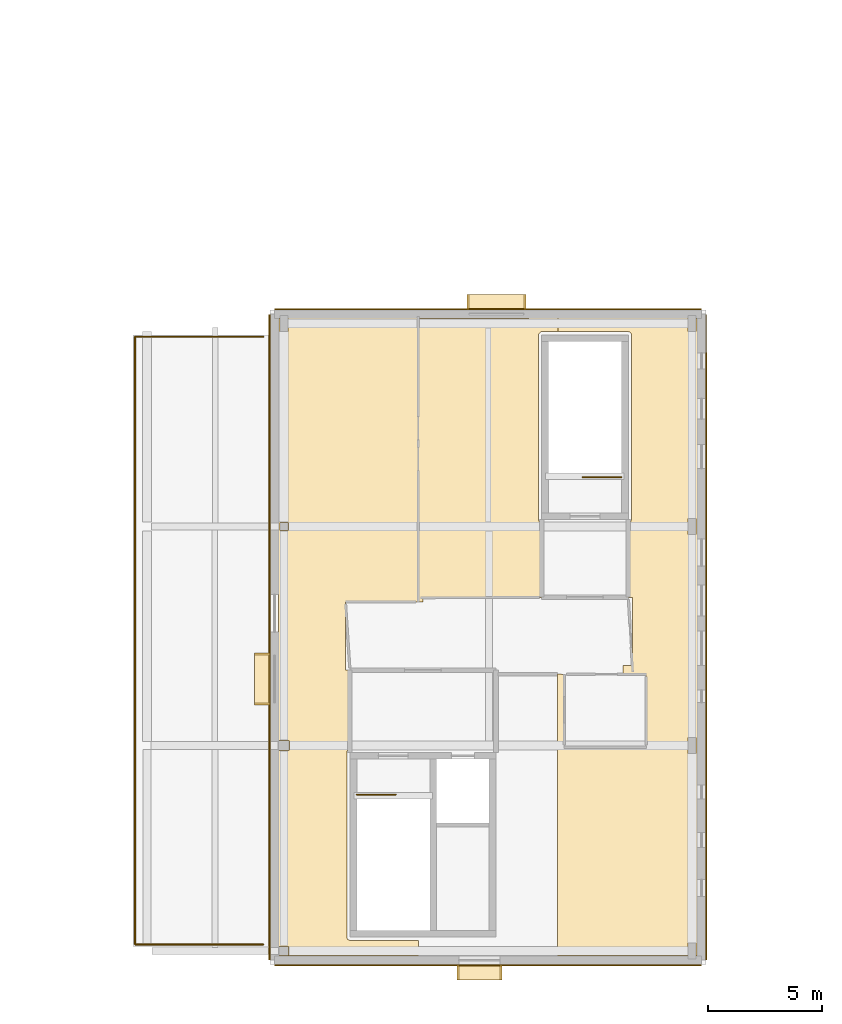
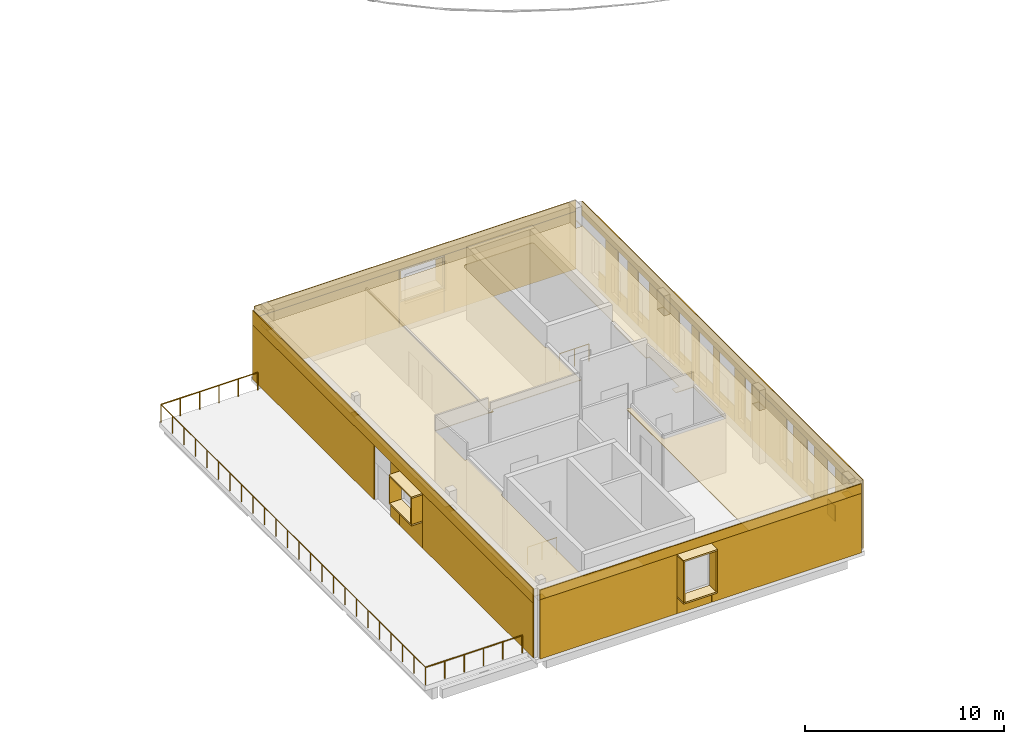
# One storey, part 30 of 41: 49 coverings, 5 railings.
"""IFC4 building model written with IfcOpenShell, lengths in metres."""

from ifc_helpers import new_model, si_unit, direction, frame, origin, origin_2d, place, context, subcontext, project, spatial, polyline, rectangle, circle, outline, extrude, material, layer, layer_set, type_object, element, save


model = new_model("IFC4")

# Units and contexts
model_context = context("Model", 3, precision=1e-05, world=origin(), true_north=direction((0.0, 1.0)))
body_context = subcontext(model_context, "Body", "Model", "MODEL_VIEW")
ifc_project = project(units=[si_unit("LENGTHUNIT", "METRE"), si_unit("AREAUNIT", "SQUARE_METRE"), si_unit("VOLUMEUNIT", "CUBIC_METRE"), si_unit("PLANEANGLEUNIT", "RADIAN"), si_unit("MASSUNIT", "GRAM", prefix="KILO")], contexts=[model_context])

# Site, building, storey
site_placement = place(None, origin())
site = spatial("IfcSite", under=ifc_project, at=site_placement, CompositionType="ELEMENT")
building_placement = place(site_placement, origin())
building = spatial("IfcBuilding", under=site, at=building_placement, Name="Mzevani Central Library", CompositionType="ELEMENT")
storey_placement = place(building_placement, frame((0.0, 0.0, 13.800048828125)))
storey = spatial("IfcBuildingStorey", under=building, at=storey_placement, Name="L03", CompositionType="ELEMENT", Elevation=13.800048828125)

# Railings
ifc_material_1 = material(Name="Brushed stainless steel rail", Category="steel")
railing_type_1 = type_object("IfcRailingType", Name="Interior Gallery and Stair Guard 1100", PredefinedType="BALUSTRADE", material=ifc_material_1)
railing_1_placement = place(storey_placement, frame((39.0, 21.050048828125, 0.0)))
element("IfcRailing", 1, at=railing_1_placement, inside=storey, type_object=railing_type_1, Name="L03 ST-07 top well guard 1", PredefinedType="BALUSTRADE", context=body_context, shape_type="SweptSolid", body=[
    extrude(circle(Radius=0.02392578125, at=origin_2d()), frame((0.0, 0.0, 1.076171875), z_axis=(1.0, 0.0, 0.0), x_axis=(0.0, 1.0, 0.0)), (0.0, 0.0, 1.0), 1.699951171875),
    extrude(circle(Radius=0.02099609375, at=origin_2d()), origin(), (0.0, 0.0, 1.0), 1.052001953125),
    extrude(circle(Radius=0.02099609375, at=origin_2d()), frame((0.85009765625, 0.0, 0.0)), (0.0, 0.0, 1.0), 1.052001953125),
    extrude(circle(Radius=0.02099609375, at=origin_2d()), frame((1.699951171875, 0.0, 0.0)), (0.0, 0.0, 1.0), 1.052001953125),
])
railing_2_placement = place(storey_placement, frame((50.60009765625, 34.949951171875, 0.0)))
element("IfcRailing", 2, at=railing_2_placement, inside=storey, type_object=railing_type_1, Name="L03 ST-08 top well guard 1", PredefinedType="BALUSTRADE", context=body_context, shape_type="SweptSolid", body=[
    extrude(circle(Radius=0.02392578125, at=origin_2d()), frame((0.0, 0.0, 1.076171875), z_axis=(-1.0, 0.0, 0.0), x_axis=(0.0, -1.0, 0.0)), (0.0, 0.0, 1.0), 1.7001953125),
    extrude(circle(Radius=0.02099609375, at=origin_2d()), origin(), (0.0, 0.0, 1.0), 1.052001953125),
    extrude(circle(Radius=0.02099609375, at=origin_2d()), frame((-0.85009765625, 0.0, 0.0)), (0.0, 0.0, 1.0), 1.052001953125),
    extrude(circle(Radius=0.02099609375, at=origin_2d()), frame((-1.7001953125, 0.0, 0.0)), (0.0, 0.0, 1.0), 1.052001953125),
])

# Coverings
ifc_material_2 = material(Name="Limestone ashlar cladding", Category="masonry")
ifc_layer_1 = layer(ifc_material_2, 0.050048828125, Name="Limestone Ashlar Spandrel Cladding")
ifc_layer_set_1 = layer_set([ifc_layer_1], Name="Limestone ashlar cladding")
covering_type_1 = type_object("IfcCoveringType", Name="Limestone Ashlar Spandrel Cladding", PredefinedType="CLADDING", material=ifc_layer_set_1)
for number, where, z_axis, x_axis, name in (
    (3, (44.37548828125, 13.261962890625, 3.5498046875), (0.0, 0.0, 1.0), (-1.0, 0.0, 0.0), "L03 Deep Window Reveal HD (REV4-0175)"),
    (4, (44.37548828125, 13.261962890625, 0.9599609375), (0.0, 0.0, 1.0), (-1.0, 0.0, 0.0), "L03 Deep Window Reveal SL (REV4-0175)"),
):
    element("IfcCovering", number, at=place(storey_placement, frame(where, z_axis=z_axis, x_axis=x_axis)), inside=storey, type_object=covering_type_1, Name=name, PredefinedType="CLADDING", context=body_context, shape_type="SweptSolid", body=[
        extrude(rectangle(XDim=1.97998046875, YDim=0.679931640625, at=origin_2d()), origin(), (0.0, 0.0, 1.0), 0.090087890625),
    ])
for number, where, z_axis, x_axis, name in (
    (5, (45.320556640625, 13.261962890625, 1.050048828125), (0.0, 0.0, 1.0), (-1.0, 0.0, 0.0), "L03 Deep Window Reveal JL (REV4-0175)"),
    (6, (43.4306640625, 13.261962890625, 1.050048828125), (0.0, 0.0, 1.0), (-1.0, 0.0, 0.0), "L03 Deep Window Reveal JR (REV4-0175)"),
):
    element("IfcCovering", number, at=place(storey_placement, frame(where, z_axis=z_axis, x_axis=x_axis)), inside=storey, type_object=covering_type_1, Name=name, PredefinedType="CLADDING", context=body_context, shape_type="SweptSolid", body=[
        extrude(rectangle(XDim=0.090087890625, YDim=0.679931640625, at=origin_2d()), origin(), (0.0, 0.0, 1.0), 2.5),
    ])
covering_1_placement = place(storey_placement, frame((44.75, 13.575927734375, 3.64990234375), z_axis=(0.0, 0.0, 1.0), x_axis=(-1.0, 0.0, 0.0)))
element("IfcCovering", 7, at=covering_1_placement, inside=storey, type_object=covering_type_1, Name="L03 Warm-White Facade Spandrel (EW4-V4-L03-0084)", PredefinedType="CLADDING", context=body_context, shape_type="SweptSolid", body=[
    extrude(rectangle(XDim=18.679931640625, YDim=0.050048828125, at=origin_2d()), origin(), (0.0, 0.0, 1.0), 0.590087890625),
])
covering_2_placement = place(storey_placement, frame((49.742919921875, 13.575927734375, 0.0), z_axis=(0.0, 0.0, 1.0), x_axis=(-1.0, 0.0, 0.0)))
element("IfcCovering", 8, at=covering_2_placement, inside=storey, type_object=covering_type_1, Name="L03 Warm-White Facade Pier 1 (EW4-V4-L03-0084)", PredefinedType="CLADDING", context=body_context, shape_type="SweptSolid", body=[
    extrude(rectangle(XDim=8.6943359375, YDim=0.050048828125, at=origin_2d()), origin(), (0.0, 0.0, 1.0), 3.64990234375),
])
covering_3_placement = place(storey_placement, frame((44.37548828125, 13.575927734375, 0.0), z_axis=(0.0, 0.0, 1.0), x_axis=(-1.0, 0.0, 0.0)))
element("IfcCovering", 9, at=covering_3_placement, inside=storey, type_object=covering_type_1, Name="L03 Warm-White Sill Cladding 2 (EW4-V4-L03-0084)", PredefinedType="CLADDING", context=body_context, shape_type="SweptSolid", body=[
    extrude(rectangle(XDim=2.0, YDim=0.050048828125, at=origin_2d()), origin(), (0.0, 0.0, 1.0), 0.949951171875),
])
covering_4_placement = place(storey_placement, frame((39.3828125, 13.575927734375, 0.0), z_axis=(0.0, 0.0, 1.0), x_axis=(-1.0, 0.0, 0.0)))
element("IfcCovering", 10, at=covering_4_placement, inside=storey, type_object=covering_type_1, Name="L03 Warm-White Facade Pier 3 (EW4-V4-L03-0084)", PredefinedType="CLADDING", context=body_context, shape_type="SweptSolid", body=[
    extrude(rectangle(XDim=7.945556640625, YDim=0.050048828125, at=origin_2d()), origin(), (0.0, 0.0, 1.0), 3.64990234375),
])
for number, where, z_axis, x_axis, name in (
    (11, (34.862060546875, 26.116455078125, 3.25), (0.0, 0.0, 1.0), (0.0, 1.0, 0.0), "L03 Deep Window Reveal HD (REV4-0176)"),
    (12, (34.862060546875, 26.116455078125, 1.56005859375), (0.0, 0.0, 1.0), (0.0, 1.0, 0.0), "L03 Deep Window Reveal SL (REV4-0176)"),
):
    element("IfcCovering", number, at=place(storey_placement, frame(where, z_axis=z_axis, x_axis=x_axis)), inside=storey, type_object=covering_type_1, Name=name, PredefinedType="CLADDING", context=body_context, shape_type="SweptSolid", body=[
        extrude(rectangle(XDim=2.280029296875, YDim=0.679931640625, at=origin_2d()), origin(), (0.0, 0.0, 1.0), 0.090087890625),
    ])
for number, where, z_axis, x_axis, name in (
    (13, (34.862060546875, 25.021484375, 1.64990234375), (0.0, 0.0, 1.0), (0.0, 1.0, 0.0), "L03 Deep Window Reveal JL (REV4-0176)"),
    (14, (34.862060546875, 27.21142578125, 1.64990234375), (0.0, 0.0, 1.0), (0.0, 1.0, 0.0), "L03 Deep Window Reveal JR (REV4-0176)"),
):
    element("IfcCovering", number, at=place(storey_placement, frame(where, z_axis=z_axis, x_axis=x_axis)), inside=storey, type_object=covering_type_1, Name=name, PredefinedType="CLADDING", context=body_context, shape_type="SweptSolid", body=[
        extrude(rectangle(XDim=0.090087890625, YDim=0.679931640625, at=origin_2d()), origin(), (0.0, 0.0, 1.0), 1.60009765625),
    ])
covering_5_placement = place(storey_placement, frame((35.176025390625, 27.949951171875, 3.35009765625), z_axis=(0.0, 0.0, 1.0), x_axis=(0.0, 1.0, 0.0)))
element("IfcCovering", 15, at=covering_5_placement, inside=storey, type_object=covering_type_1, Name="L03 Warm-White Facade Spandrel (EW4-V4-L03-0085)", PredefinedType="CLADDING", context=body_context, shape_type="SweptSolid", body=[
    extrude(rectangle(XDim=28.280029296875, YDim=0.050048828125, at=origin_2d()), origin(), (0.0, 0.0, 1.0), 0.889892578125),
])
covering_6_placement = place(storey_placement, frame((35.176025390625, 19.378173828125, 0.0), z_axis=(0.0, 0.0, 1.0), x_axis=(0.0, 1.0, 0.0)))
element("IfcCovering", 16, at=covering_6_placement, inside=storey, type_object=covering_type_1, Name="L03 Warm-White Facade Pier 1 (EW4-V4-L03-0085)", PredefinedType="CLADDING", context=body_context, shape_type="SweptSolid", body=[
    extrude(rectangle(XDim=11.136474609375, YDim=0.050048828125, at=origin_2d()), origin(), (0.0, 0.0, 1.0), 3.35009765625),
])
covering_7_placement = place(storey_placement, frame((35.176025390625, 26.116455078125, 0.0), z_axis=(0.0, 0.0, 1.0), x_axis=(0.0, 1.0, 0.0)))
element("IfcCovering", 17, at=covering_7_placement, inside=storey, type_object=covering_type_1, Name="L03 Warm-White Sill Cladding 2 (EW4-V4-L03-0085)", PredefinedType="CLADDING", context=body_context, shape_type="SweptSolid", body=[
    extrude(rectangle(XDim=2.300048828125, YDim=0.050048828125, at=origin_2d()), origin(), (0.0, 0.0, 1.0), 1.550048828125),
])
covering_8_placement = place(storey_placement, frame((35.176025390625, 27.720703125, 0.0), z_axis=(0.0, 0.0, 1.0), x_axis=(0.0, 1.0, 0.0)))
element("IfcCovering", 18, at=covering_8_placement, inside=storey, type_object=covering_type_1, Name="L03 Warm-White Facade Pier 3 (EW4-V4-L03-0085)", PredefinedType="CLADDING", context=body_context, shape_type="SweptSolid", body=[
    extrude(rectangle(XDim=0.86865234375, YDim=0.050048828125, at=origin_2d()), origin(), (0.0, 0.0, 1.0), 3.35009765625),
])
covering_9_placement = place(storey_placement, frame((35.176025390625, 35.967529296875, 0.0), z_axis=(0.0, 0.0, 1.0), x_axis=(0.0, 1.0, 0.0)))
element("IfcCovering", 19, at=covering_9_placement, inside=storey, type_object=covering_type_1, Name="L03 Warm-White Facade Pier 4 (EW4-V4-L03-0085)", PredefinedType="CLADDING", context=body_context, shape_type="SweptSolid", body=[
    extrude(rectangle(XDim=12.2451171875, YDim=0.050048828125, at=origin_2d()), origin(), (0.0, 0.0, 1.0), 3.35009765625),
])
for number, where, z_axis, x_axis, name in (
    (20, (45.12451171875, 42.637939453125, 3.44970703125), (0.0, 0.0, 1.0), (1.0, 0.0, 0.0), "L03 Deep Window Reveal HD (REV4-0177)"),
    (21, (45.12451171875, 42.637939453125, 1.56005859375), (0.0, 0.0, 1.0), (1.0, 0.0, 0.0), "L03 Deep Window Reveal SL (REV4-0177)"),
):
    element("IfcCovering", number, at=place(storey_placement, frame(where, z_axis=z_axis, x_axis=x_axis)), inside=storey, type_object=covering_type_1, Name=name, PredefinedType="CLADDING", context=body_context, shape_type="SweptSolid", body=[
        extrude(rectangle(XDim=2.580078125, YDim=0.679931640625, at=origin_2d()), origin(), (0.0, 0.0, 1.0), 0.090087890625),
    ])
for number, where, z_axis, x_axis, name in (
    (22, (43.87939453125, 42.637939453125, 1.64990234375), (0.0, 0.0, 1.0), (1.0, 0.0, 0.0), "L03 Deep Window Reveal JL (REV4-0177)"),
    (23, (46.369384765625, 42.637939453125, 1.64990234375), (0.0, 0.0, 1.0), (1.0, 0.0, 0.0), "L03 Deep Window Reveal JR (REV4-0177)"),
):
    element("IfcCovering", number, at=place(storey_placement, frame(where, z_axis=z_axis, x_axis=x_axis)), inside=storey, type_object=covering_type_1, Name=name, PredefinedType="CLADDING", context=body_context, shape_type="SweptSolid", body=[
        extrude(rectangle(XDim=0.090087890625, YDim=0.679931640625, at=origin_2d()), origin(), (0.0, 0.0, 1.0), 1.800048828125),
    ])
covering_10_placement = place(storey_placement, frame((44.75, 42.323974609375, 3.550048828125), z_axis=(0.0, 0.0, 1.0), x_axis=(1.0, 0.0, 0.0)))
element("IfcCovering", 24, at=covering_10_placement, inside=storey, type_object=covering_type_1, Name="L03 Warm-White Facade Spandrel (EW4-V4-L03-0086)", PredefinedType="CLADDING", context=body_context, shape_type="SweptSolid", body=[
    extrude(rectangle(XDim=18.679931640625, YDim=0.050048828125, at=origin_2d()), origin(), (0.0, 0.0, 1.0), 0.68994140625),
])
covering_11_placement = place(storey_placement, frame((39.607177734375, 42.323974609375, 0.0), z_axis=(0.0, 0.0, 1.0), x_axis=(1.0, 0.0, 0.0)))
element("IfcCovering", 25, at=covering_11_placement, inside=storey, type_object=covering_type_1, Name="L03 Warm-White Facade Pier 1 (EW4-V4-L03-0086)", PredefinedType="CLADDING", context=body_context, shape_type="SweptSolid", body=[
    extrude(rectangle(XDim=8.394287109375, YDim=0.050048828125, at=origin_2d()), origin(), (0.0, 0.0, 1.0), 3.550048828125),
])
covering_12_placement = place(storey_placement, frame((45.12451171875, 42.323974609375, 0.0), z_axis=(0.0, 0.0, 1.0), x_axis=(1.0, 0.0, 0.0)))
element("IfcCovering", 26, at=covering_12_placement, inside=storey, type_object=covering_type_1, Name="L03 Warm-White Sill Cladding 2 (EW4-V4-L03-0086)", PredefinedType="CLADDING", context=body_context, shape_type="SweptSolid", body=[
    extrude(rectangle(XDim=2.60009765625, YDim=0.050048828125, at=origin_2d()), origin(), (0.0, 0.0, 1.0), 1.550048828125),
])
covering_13_placement = place(storey_placement, frame((50.26708984375, 42.323974609375, 0.0), z_axis=(0.0, 0.0, 1.0), x_axis=(1.0, 0.0, 0.0)))
element("IfcCovering", 27, at=covering_13_placement, inside=storey, type_object=covering_type_1, Name="L03 Warm-White Facade Pier 3 (EW4-V4-L03-0086)", PredefinedType="CLADDING", context=body_context, shape_type="SweptSolid", body=[
    extrude(rectangle(XDim=7.6455078125, YDim=0.050048828125, at=origin_2d()), origin(), (0.0, 0.0, 1.0), 3.550048828125),
])
covering_14_placement = place(storey_placement, frame((54.323974609375, 27.949951171875, 3.35009765625), z_axis=(0.0, 0.0, 1.0), x_axis=(0.0, -1.0, 0.0)))
element("IfcCovering", 28, at=covering_14_placement, inside=storey, type_object=covering_type_1, Name="L03 Warm-White Facade Spandrel (EW4-V4-L03-0087)", PredefinedType="CLADDING", context=body_context, shape_type="SweptSolid", body=[
    extrude(rectangle(XDim=28.280029296875, YDim=0.050048828125, at=origin_2d()), origin(), (0.0, 0.0, 1.0), 0.889892578125),
])
covering_15_placement = place(storey_placement, frame((54.323974609375, 40.06005859375, 0.0), z_axis=(0.0, 0.0, 1.0), x_axis=(0.0, -1.0, 0.0)))
element("IfcCovering", 29, at=covering_15_placement, inside=storey, type_object=covering_type_1, Name="L03 Warm-White Sill Cladding 2 (EW4-V4-L03-0087)", PredefinedType="CLADDING", context=body_context, shape_type="SweptSolid", body=[
    extrude(rectangle(XDim=0.699951171875, YDim=0.050048828125, at=origin_2d()), origin(), (0.0, 0.0, 1.0), 0.949951171875),
])
covering_16_placement = place(storey_placement, frame((54.323974609375, 39.06005859375, 0.0), z_axis=(0.0, 0.0, 1.0), x_axis=(0.0, -1.0, 0.0)))
element("IfcCovering", 30, at=covering_16_placement, inside=storey, type_object=covering_type_1, Name="L03 Warm-White Facade Pier 3 (EW4-V4-L03-0087)", PredefinedType="CLADDING", context=body_context, shape_type="SweptSolid", body=[
    extrude(rectangle(XDim=1.260009765625, YDim=0.050048828125, at=origin_2d()), origin(), (0.0, 0.0, 1.0), 3.35009765625),
])
covering_17_placement = place(storey_placement, frame((54.323974609375, 37.9599609375, 0.0), z_axis=(0.0, 0.0, 1.0), x_axis=(0.0, -1.0, 0.0)))
element("IfcCovering", 31, at=covering_17_placement, inside=storey, type_object=covering_type_1, Name="L03 Warm-White Sill Cladding 4 (EW4-V4-L03-0087)", PredefinedType="CLADDING", context=body_context, shape_type="SweptSolid", body=[
    extrude(rectangle(XDim=0.89990234375, YDim=0.050048828125, at=origin_2d()), origin(), (0.0, 0.0, 1.0), 0.949951171875),
])
covering_18_placement = place(storey_placement, frame((54.323974609375, 36.947509765625, 0.0), z_axis=(0.0, 0.0, 1.0), x_axis=(0.0, -1.0, 0.0)))
element("IfcCovering", 32, at=covering_18_placement, inside=storey, type_object=covering_type_1, Name="L03 Warm-White Facade Pier 5 (EW4-V4-L03-0087)", PredefinedType="CLADDING", context=body_context, shape_type="SweptSolid", body=[
    extrude(rectangle(XDim=1.0849609375, YDim=0.050048828125, at=origin_2d()), origin(), (0.0, 0.0, 1.0), 3.35009765625),
])
covering_19_placement = place(storey_placement, frame((54.323974609375, 35.860107421875, 0.0), z_axis=(0.0, 0.0, 1.0), x_axis=(0.0, -1.0, 0.0)))
element("IfcCovering", 33, at=covering_19_placement, inside=storey, type_object=covering_type_1, Name="L03 Warm-White Sill Cladding 6 (EW4-V4-L03-0087)", PredefinedType="CLADDING", context=body_context, shape_type="SweptSolid", body=[
    extrude(rectangle(XDim=1.050048828125, YDim=0.050048828125, at=origin_2d()), origin(), (0.0, 0.0, 1.0), 0.949951171875),
])
covering_20_placement = place(storey_placement, frame((54.323974609375, 33.797607421875, 0.0), z_axis=(0.0, 0.0, 1.0), x_axis=(0.0, -1.0, 0.0)))
element("IfcCovering", 34, at=covering_20_placement, inside=storey, type_object=covering_type_1, Name="L03 Warm-White Facade Pier 7 (EW4-V4-L03-0087)", PredefinedType="CLADDING", context=body_context, shape_type="SweptSolid", body=[
    extrude(rectangle(XDim=3.034912109375, YDim=0.050048828125, at=origin_2d()), origin(), (0.0, 0.0, 1.0), 3.35009765625),
])
covering_21_placement = place(storey_placement, frame((54.323974609375, 31.659912109375, 0.0), z_axis=(0.0, 0.0, 1.0), x_axis=(0.0, -1.0, 0.0)))
element("IfcCovering", 35, at=covering_21_placement, inside=storey, type_object=covering_type_1, Name="L03 Warm-White Sill Cladding 8 (EW4-V4-L03-0087)", PredefinedType="CLADDING", context=body_context, shape_type="SweptSolid", body=[
    extrude(rectangle(XDim=1.199951171875, YDim=0.050048828125, at=origin_2d()), origin(), (0.0, 0.0, 1.0), 0.949951171875),
])
covering_22_placement = place(storey_placement, frame((54.323974609375, 30.6474609375, 0.0), z_axis=(0.0, 0.0, 1.0), x_axis=(0.0, -1.0, 0.0)))
element("IfcCovering", 36, at=covering_22_placement, inside=storey, type_object=covering_type_1, Name="L03 Warm-White Facade Pier 9 (EW4-V4-L03-0087)", PredefinedType="CLADDING", context=body_context, shape_type="SweptSolid", body=[
    extrude(rectangle(XDim=0.784912109375, YDim=0.050048828125, at=origin_2d()), origin(), (0.0, 0.0, 1.0), 3.35009765625),
])
covering_23_placement = place(storey_placement, frame((54.323974609375, 29.56005859375, 0.0), z_axis=(0.0, 0.0, 1.0), x_axis=(0.0, -1.0, 0.0)))
element("IfcCovering", 37, at=covering_23_placement, inside=storey, type_object=covering_type_1, Name="L03 Warm-White Sill Cladding 10 (EW4-V4-L03-0087)", PredefinedType="CLADDING", context=body_context, shape_type="SweptSolid", body=[
    extrude(rectangle(XDim=1.35009765625, YDim=0.050048828125, at=origin_2d()), origin(), (0.0, 0.0, 1.0), 0.949951171875),
])
covering_24_placement = place(storey_placement, frame((54.323974609375, 28.547607421875, 0.0), z_axis=(0.0, 0.0, 1.0), x_axis=(0.0, -1.0, 0.0)))
element("IfcCovering", 38, at=covering_24_placement, inside=storey, type_object=covering_type_1, Name="L03 Warm-White Facade Pier 11 (EW4-V4-L03-0087)", PredefinedType="CLADDING", context=body_context, shape_type="SweptSolid", body=[
    extrude(rectangle(XDim=0.635009765625, YDim=0.050048828125, at=origin_2d()), origin(), (0.0, 0.0, 1.0), 3.35009765625),
])
covering_25_placement = place(storey_placement, frame((54.323974609375, 27.4599609375, 0.0), z_axis=(0.0, 0.0, 1.0), x_axis=(0.0, -1.0, 0.0)))
element("IfcCovering", 39, at=covering_25_placement, inside=storey, type_object=covering_type_1, Name="L03 Warm-White Sill Cladding 12 (EW4-V4-L03-0087)", PredefinedType="CLADDING", context=body_context, shape_type="SweptSolid", body=[
    extrude(rectangle(XDim=1.5, YDim=0.050048828125, at=origin_2d()), origin(), (0.0, 0.0, 1.0), 0.949951171875),
])
covering_26_placement = place(storey_placement, frame((54.323974609375, 26.172607421875, 0.0), z_axis=(0.0, 0.0, 1.0), x_axis=(0.0, -1.0, 0.0)))
element("IfcCovering", 40, at=covering_26_placement, inside=storey, type_object=covering_type_1, Name="L03 Warm-White Facade Pier 13 (EW4-V4-L03-0087)", PredefinedType="CLADDING", context=body_context, shape_type="SweptSolid", body=[
    extrude(rectangle(XDim=1.034912109375, YDim=0.050048828125, at=origin_2d()), origin(), (0.0, 0.0, 1.0), 3.35009765625),
])
covering_27_placement = place(storey_placement, frame((54.323974609375, 25.360107421875, 0.0), z_axis=(0.0, 0.0, 1.0), x_axis=(0.0, -1.0, 0.0)))
element("IfcCovering", 41, at=covering_27_placement, inside=storey, type_object=covering_type_1, Name="L03 Warm-White Sill Cladding 14 (EW4-V4-L03-0087)", PredefinedType="CLADDING", context=body_context, shape_type="SweptSolid", body=[
    extrude(rectangle(XDim=0.550048828125, YDim=0.050048828125, at=origin_2d()), origin(), (0.0, 0.0, 1.0), 0.949951171875),
])
covering_28_placement = place(storey_placement, frame((54.323974609375, 23.2724609375, 0.0), z_axis=(0.0, 0.0, 1.0), x_axis=(0.0, -1.0, 0.0)))
element("IfcCovering", 42, at=covering_28_placement, inside=storey, type_object=covering_type_1, Name="L03 Warm-White Facade Pier 15 (EW4-V4-L03-0087)", PredefinedType="CLADDING", context=body_context, shape_type="SweptSolid", body=[
    extrude(rectangle(XDim=3.5849609375, YDim=0.050048828125, at=origin_2d()), origin(), (0.0, 0.0, 1.0), 3.35009765625),
])
covering_29_placement = place(storey_placement, frame((54.323974609375, 21.159912109375, 0.0), z_axis=(0.0, 0.0, 1.0), x_axis=(0.0, -1.0, 0.0)))
element("IfcCovering", 43, at=covering_29_placement, inside=storey, type_object=covering_type_1, Name="L03 Warm-White Sill Cladding 16 (EW4-V4-L03-0087)", PredefinedType="CLADDING", context=body_context, shape_type="SweptSolid", body=[
    extrude(rectangle(XDim=0.60009765625, YDim=0.050048828125, at=origin_2d()), origin(), (0.0, 0.0, 1.0), 0.949951171875),
])
covering_30_placement = place(storey_placement, frame((54.323974609375, 20.12255859375, 0.0), z_axis=(0.0, 0.0, 1.0), x_axis=(0.0, -1.0, 0.0)))
element("IfcCovering", 44, at=covering_30_placement, inside=storey, type_object=covering_type_1, Name="L03 Warm-White Facade Pier 17 (EW4-V4-L03-0087)", PredefinedType="CLADDING", context=body_context, shape_type="SweptSolid", body=[
    extrude(rectangle(XDim=1.43505859375, YDim=0.050048828125, at=origin_2d()), origin(), (0.0, 0.0, 1.0), 3.35009765625),
])
covering_31_placement = place(storey_placement, frame((54.323974609375, 19.06005859375, 0.0), z_axis=(0.0, 0.0, 1.0), x_axis=(0.0, -1.0, 0.0)))
element("IfcCovering", 45, at=covering_31_placement, inside=storey, type_object=covering_type_1, Name="L03 Warm-White Sill Cladding 18 (EW4-V4-L03-0087)", PredefinedType="CLADDING", context=body_context, shape_type="SweptSolid", body=[
    extrude(rectangle(XDim=0.64990234375, YDim=0.050048828125, at=origin_2d()), origin(), (0.0, 0.0, 1.0), 0.949951171875),
])
covering_32_placement = place(storey_placement, frame((54.323974609375, 18.034912109375, 0.0), z_axis=(0.0, 0.0, 1.0), x_axis=(0.0, -1.0, 0.0)))
element("IfcCovering", 46, at=covering_32_placement, inside=storey, type_object=covering_type_1, Name="L03 Warm-White Facade Pier 19 (EW4-V4-L03-0087)", PredefinedType="CLADDING", context=body_context, shape_type="SweptSolid", body=[
    extrude(rectangle(XDim=1.360107421875, YDim=0.050048828125, at=origin_2d()), origin(), (0.0, 0.0, 1.0), 3.35009765625),
])
covering_33_placement = place(storey_placement, frame((54.323974609375, 16.9599609375, 0.0), z_axis=(0.0, 0.0, 1.0), x_axis=(0.0, -1.0, 0.0)))
element("IfcCovering", 47, at=covering_33_placement, inside=storey, type_object=covering_type_1, Name="L03 Warm-White Sill Cladding 20 (EW4-V4-L03-0087)", PredefinedType="CLADDING", context=body_context, shape_type="SweptSolid", body=[
    extrude(rectangle(XDim=0.75, YDim=0.050048828125, at=origin_2d()), origin(), (0.0, 0.0, 1.0), 0.949951171875),
])
covering_34_placement = place(storey_placement, frame((54.323974609375, 15.1875, 0.0), z_axis=(0.0, 0.0, 1.0), x_axis=(0.0, -1.0, 0.0)))
element("IfcCovering", 48, at=covering_34_placement, inside=storey, type_object=covering_type_1, Name="L03 Warm-White Facade Pier 21 (EW4-V4-L03-0087)", PredefinedType="CLADDING", context=body_context, shape_type="SweptSolid", body=[
    extrude(rectangle(XDim=2.7548828125, YDim=0.050048828125, at=origin_2d()), origin(), (0.0, 0.0, 1.0), 3.35009765625),
])
ifc_material_3 = material(Name="Mineral wool acoustic ceiling")
ifc_layer_2 = layer(ifc_material_3, 0.0400390625, Name="Perforated Timber Acoustic Ceiling")
ifc_layer_set_2 = layer_set([ifc_layer_2], Name="Mineral wool acoustic ceiling")
covering_type_2 = type_object("IfcCoveringType", Name="Perforated Timber Acoustic Ceiling", PredefinedType="CEILING", material=ifc_layer_set_2)
covering_35_placement = place(storey_placement, frame((0.0, 0.0, 3.25)))
element("IfcCovering", 49, at=covering_35_placement, inside=storey, type_object=covering_type_2, Name="L03 Library Director and Boardroom Suite Acoustic Ceiling", PredefinedType="CEILING", context=body_context, shape_type="SweptSolid", body=[
    extrude(outline(polyline([(35.57177734375, 13.974365234375), (35.5703125, 41.922119140625), (35.625, 41.929931640625), (35.625, 41.35009765625), (35.97509765625, 41.35009765625), (35.97509765625, 41.929931640625), (41.6953125, 41.9296875), (41.703125, 29.498046875), (38.510009765625, 29.489990234375), (38.510009765625, 26.510009765625), (38.7099609375, 26.5), (38.7099609375, 23.050048828125), (38.6015625, 22.998291015625), (38.56005859375, 22.89794921875), (38.56298828125, 14.7734375), (38.611572265625, 14.692138671875), (38.70166015625, 14.659912109375), (41.6962890625, 14.65966796875), (41.703125, 13.97802734375), (35.57177734375, 13.974365234375)]), holes=[polyline([(36.0, 14.0), (36.0, 14.39990234375), (35.60009765625, 14.39990234375), (35.60009765625, 14.0), (36.0, 14.0)]), polyline([(35.574951171875, 22.97509765625), (36.02490234375, 22.97509765625), (36.02490234375, 23.425048828125), (35.574951171875, 23.425048828125), (35.574951171875, 22.97509765625)]), polyline([(35.625, 32.97509765625), (35.625, 32.625), (35.97509765625, 32.625), (35.97509765625, 32.97509765625), (35.625, 32.97509765625)])]), origin(), (0.0, 0.0, 1.0), 0.0400390625),
])
covering_36_placement = place(storey_placement, frame((0.0, 0.0, 3.25)))
element("IfcCovering", 50, at=covering_36_placement, inside=storey, type_object=covering_type_2, Name="L03 Administration and Finance Office Acoustic Ceiling", PredefinedType="CEILING", context=body_context, shape_type="SweptSolid", body=[
    extrude(outline(polyline([(47.812255859375, 41.92822265625), (47.81298828125, 41.34228515625), (47.0751953125, 41.337158203125), (46.960693359375, 41.210693359375), (46.9599609375, 33.10205078125), (47.001708984375, 33.001708984375), (47.110107421875, 32.949951171875), (47.10888671875, 29.6953125), (41.909912109375, 29.669921875), (41.90625, 29.4921875), (41.688720703125, 29.4912109375), (41.6845703125, 41.9248046875), (47.812255859375, 41.92822265625)])), origin(), (0.0, 0.0, 1.0), 0.0400390625),
])
covering_37_placement = place(storey_placement, frame((0.0, 0.0, 3.25)))
element("IfcCovering", 51, at=covering_37_placement, inside=storey, type_object=covering_type_2, Name="L03 Library Director and Boardroom Suite 2 Acoustic Ceiling", PredefinedType="CEILING", context=body_context, shape_type="SweptSolid", body=[
    extrude(outline(polyline([(53.925537109375, 13.9716796875), (53.875, 13.969970703125), (53.875, 14.550048828125), (53.52490234375, 14.550048828125), (53.52490234375, 13.969970703125), (47.796875, 13.97802734375), (47.799072265625, 26.326416015625), (48.10009765625, 26.321044921875), (48.10009765625, 23.1298828125), (51.679931640625, 23.1298828125), (51.679931640625, 26.31005859375), (50.669921875, 26.320068359375), (50.6728515625, 26.70703125), (51.090087890625, 26.7099609375), (51.090087890625, 29.68994140625), (50.889892578125, 29.699951171875), (50.889892578125, 32.949951171875), (50.998291015625, 33.001708984375), (51.0400390625, 33.10205078125), (51.037109375, 41.2265625), (50.988525390625, 41.307861328125), (50.898193359375, 41.340087890625), (47.8046875, 41.340087890625), (47.8046875, 41.9296875), (53.52490234375, 41.929931640625), (53.52490234375, 41.35009765625), (53.875, 41.35009765625), (53.875, 41.929931640625), (53.9296875, 41.922119140625), (53.925537109375, 13.9716796875)]), holes=[polyline([(53.52490234375, 22.85009765625), (53.875, 22.85009765625), (53.875, 23.550048828125), (53.52490234375, 23.550048828125), (53.52490234375, 22.85009765625)]), polyline([(53.52490234375, 33.14990234375), (53.52490234375, 32.449951171875), (53.875, 32.449951171875), (53.875, 33.14990234375), (53.52490234375, 33.14990234375)])]), origin(), (0.0, 0.0, 1.0), 0.0400390625),
])

# Railings
ifc_material_4 = material(Name="Anodized architectural bronze")
railing_type_2 = type_object("IfcRailingType", Name="Terrace and Court Balustrade 1100", PredefinedType="BALUSTRADE", material=ifc_material_4)
railing_3_placement = place(storey_placement, frame((34.89990234375, 14.47998046875, 0.0)))
element("IfcRailing", 52, at=railing_3_placement, inside=storey, type_object=railing_type_2, Name="L03 Cultural Wing Planted Roof Garden Perimeter Balustrade 1", PredefinedType="BALUSTRADE", context=body_context, shape_type="SweptSolid", body=[
    extrude(circle(Radius=0.02392578125, at=origin_2d()), frame((0.0, 0.0, 1.076171875), z_axis=(-1.0, 0.0, 0.0), x_axis=(0.0, -1.0, 0.0)), (0.0, 0.0, 1.0), 5.619873046875),
    extrude(circle(Radius=0.02099609375, at=origin_2d()), origin(), (0.0, 0.0, 1.0), 1.052001953125),
    extrude(circle(Radius=0.02099609375, at=origin_2d()), frame((-1.1240234375, 0.0, 0.0)), (0.0, 0.0, 1.0), 1.052001953125),
    extrude(circle(Radius=0.02099609375, at=origin_2d()), frame((-2.248046875, 0.0, 0.0)), (0.0, 0.0, 1.0), 1.052001953125),
    extrude(circle(Radius=0.02099609375, at=origin_2d()), frame((-3.371826171875, 0.0, 0.0)), (0.0, 0.0, 1.0), 1.052001953125),
    extrude(circle(Radius=0.02099609375, at=origin_2d()), frame((-4.495849609375, 0.0, 0.0)), (0.0, 0.0, 1.0), 1.052001953125),
    extrude(circle(Radius=0.02099609375, at=origin_2d()), frame((-5.619873046875, 0.0, 0.0)), (0.0, 0.0, 1.0), 1.052001953125),
])
railing_4_placement = place(storey_placement, frame((29.280029296875, 14.47998046875, 0.0)))
element("IfcRailing", 53, at=railing_4_placement, inside=storey, type_object=railing_type_2, Name="L03 Cultural Wing Planted Roof Garden Perimeter Balustrade 2", PredefinedType="BALUSTRADE", context=body_context, shape_type="SweptSolid", body=[
    extrude(circle(Radius=0.02392578125, at=origin_2d()), frame((0.0, 0.0, 1.076171875), z_axis=(0.0, 1.0, 0.0), x_axis=(-1.0, 0.0, 0.0)), (0.0, 0.0, 1.0), 26.64013671875),
    extrude(circle(Radius=0.02099609375, at=origin_2d()), origin(), (0.0, 0.0, 1.0), 1.052001953125),
    extrude(circle(Radius=0.02099609375, at=origin_2d()), frame((0.0, 1.158203125, 0.0)), (0.0, 0.0, 1.0), 1.052001953125),
    extrude(circle(Radius=0.02099609375, at=origin_2d()), frame((0.0, 2.316650390625, 0.0)), (0.0, 0.0, 1.0), 1.052001953125),
    extrude(circle(Radius=0.02099609375, at=origin_2d()), frame((0.0, 3.474853515625, 0.0)), (0.0, 0.0, 1.0), 1.052001953125),
    extrude(circle(Radius=0.02099609375, at=origin_2d()), frame((0.0, 4.633056640625, 0.0)), (0.0, 0.0, 1.0), 1.052001953125),
    extrude(circle(Radius=0.02099609375, at=origin_2d()), frame((0.0, 5.791259765625, 0.0)), (0.0, 0.0, 1.0), 1.052001953125),
    extrude(circle(Radius=0.02099609375, at=origin_2d()), frame((0.0, 6.94970703125, 0.0)), (0.0, 0.0, 1.0), 1.052001953125),
    extrude(circle(Radius=0.02099609375, at=origin_2d()), frame((0.0, 8.10791015625, 0.0)), (0.0, 0.0, 1.0), 1.052001953125),
    extrude(circle(Radius=0.02099609375, at=origin_2d()), frame((0.0, 9.26611328125, 0.0)), (0.0, 0.0, 1.0), 1.052001953125),
    extrude(circle(Radius=0.02099609375, at=origin_2d()), frame((0.0, 10.42431640625, 0.0)), (0.0, 0.0, 1.0), 1.052001953125),
    extrude(circle(Radius=0.02099609375, at=origin_2d()), frame((0.0, 11.582763671875, 0.0)), (0.0, 0.0, 1.0), 1.052001953125),
    extrude(circle(Radius=0.02099609375, at=origin_2d()), frame((0.0, 12.740966796875, 0.0)), (0.0, 0.0, 1.0), 1.052001953125),
    extrude(circle(Radius=0.02099609375, at=origin_2d()), frame((0.0, 13.899169921875, 0.0)), (0.0, 0.0, 1.0), 1.052001953125),
    extrude(circle(Radius=0.02099609375, at=origin_2d()), frame((0.0, 15.057373046875, 0.0)), (0.0, 0.0, 1.0), 1.052001953125),
    extrude(circle(Radius=0.02099609375, at=origin_2d()), frame((0.0, 16.2158203125, 0.0)), (0.0, 0.0, 1.0), 1.052001953125),
    extrude(circle(Radius=0.02099609375, at=origin_2d()), frame((0.0, 17.3740234375, 0.0)), (0.0, 0.0, 1.0), 1.052001953125),
    extrude(circle(Radius=0.02099609375, at=origin_2d()), frame((0.0, 18.5322265625, 0.0)), (0.0, 0.0, 1.0), 1.052001953125),
    extrude(circle(Radius=0.02099609375, at=origin_2d()), frame((0.0, 19.6904296875, 0.0)), (0.0, 0.0, 1.0), 1.052001953125),
    extrude(circle(Radius=0.02099609375, at=origin_2d()), frame((0.0, 20.848876953125, 0.0)), (0.0, 0.0, 1.0), 1.052001953125),
    extrude(circle(Radius=0.02099609375, at=origin_2d()), frame((0.0, 22.007080078125, 0.0)), (0.0, 0.0, 1.0), 1.052001953125),
    extrude(circle(Radius=0.02099609375, at=origin_2d()), frame((0.0, 23.165283203125, 0.0)), (0.0, 0.0, 1.0), 1.052001953125),
    extrude(circle(Radius=0.02099609375, at=origin_2d()), frame((0.0, 24.323486328125, 0.0)), (0.0, 0.0, 1.0), 1.052001953125),
    extrude(circle(Radius=0.02099609375, at=origin_2d()), frame((0.0, 25.48193359375, 0.0)), (0.0, 0.0, 1.0), 1.052001953125),
    extrude(circle(Radius=0.02099609375, at=origin_2d()), frame((0.0, 26.64013671875, 0.0)), (0.0, 0.0, 1.0), 1.052001953125),
])
railing_5_placement = place(storey_placement, frame((29.280029296875, 41.1201171875, 0.0)))
element("IfcRailing", 54, at=railing_5_placement, inside=storey, type_object=railing_type_2, Name="L03 Cultural Wing Planted Roof Garden Perimeter Balustrade 3", PredefinedType="BALUSTRADE", context=body_context, shape_type="SweptSolid", body=[
    extrude(circle(Radius=0.02392578125, at=origin_2d()), frame((0.0, 0.0, 1.076171875), z_axis=(1.0, 0.0, 0.0), x_axis=(0.0, 1.0, 0.0)), (0.0, 0.0, 1.0), 5.619873046875),
    extrude(circle(Radius=0.02099609375, at=origin_2d()), origin(), (0.0, 0.0, 1.0), 1.052001953125),
    extrude(circle(Radius=0.02099609375, at=origin_2d()), frame((1.1240234375, 0.0, 0.0)), (0.0, 0.0, 1.0), 1.052001953125),
    extrude(circle(Radius=0.02099609375, at=origin_2d()), frame((2.248046875, 0.0, 0.0)), (0.0, 0.0, 1.0), 1.052001953125),
    extrude(circle(Radius=0.02099609375, at=origin_2d()), frame((3.371826171875, 0.0, 0.0)), (0.0, 0.0, 1.0), 1.052001953125),
    extrude(circle(Radius=0.02099609375, at=origin_2d()), frame((4.495849609375, 0.0, 0.0)), (0.0, 0.0, 1.0), 1.052001953125),
    extrude(circle(Radius=0.02099609375, at=origin_2d()), frame((5.619873046875, 0.0, 0.0)), (0.0, 0.0, 1.0), 1.052001953125),
])

save(model, "model.ifc")
